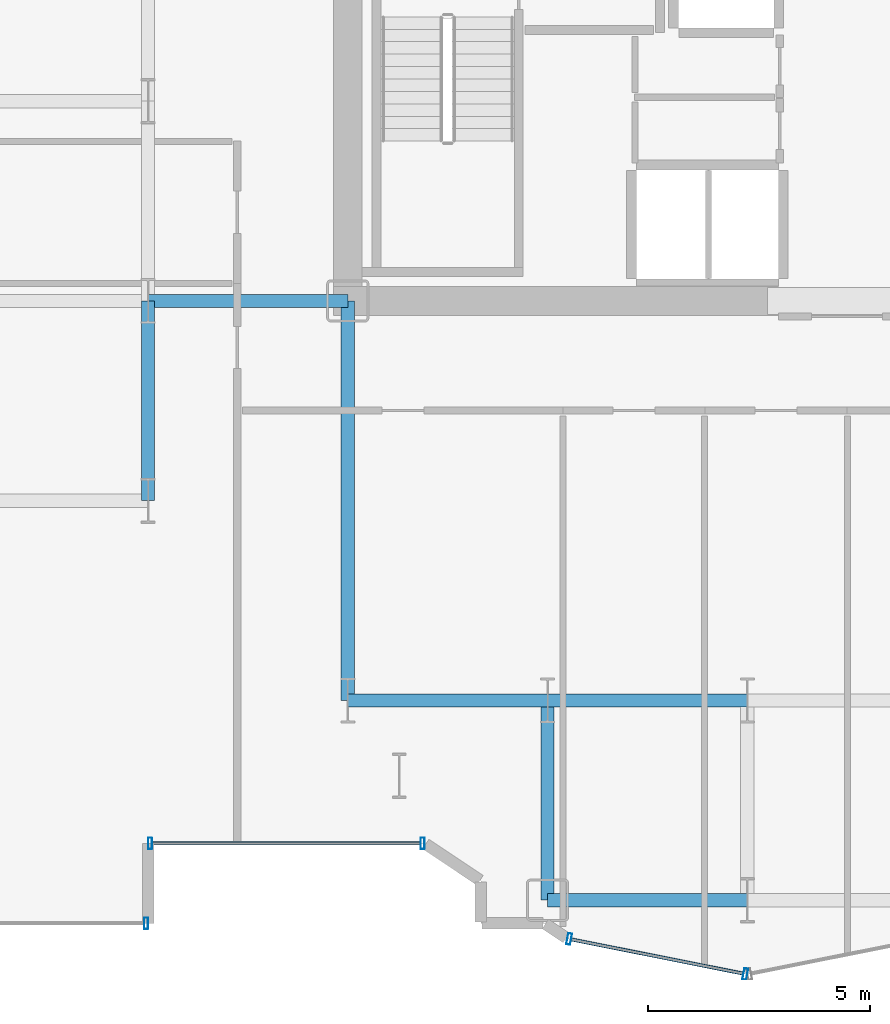
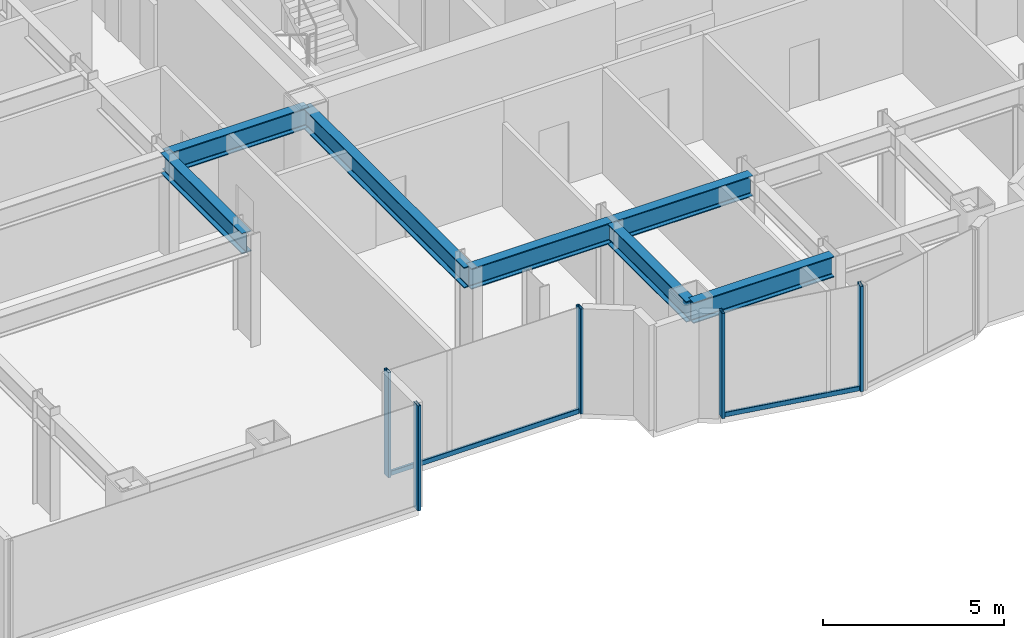
# One storey, part 4 of 25: 7 beams, 7 members, 3 elements without a shape of their own.
"""IFC4 building model written with IfcOpenShell, lengths in metres."""

from ifc_helpers import new_model, si_unit, direction, frame, origin, origin_2d, place, context, subcontext, project, spatial, hollow_rectangle, i_section, extrude, source, transform, mapped, material, layer, layer_set, material_profile, profile_set, type_object, element, aggregate, save


model = new_model("IFC4")

# Units and contexts
model_context = context("Model", 3, precision=1e-05, world=origin(), true_north=direction((0.0, 1.0)))
body_context = subcontext(model_context, "Body", "Model", "MODEL_VIEW")
ifc_project = project(units=[si_unit("LENGTHUNIT", "METRE"), si_unit("AREAUNIT", "SQUARE_METRE"), si_unit("VOLUMEUNIT", "CUBIC_METRE"), si_unit("PLANEANGLEUNIT", "RADIAN"), si_unit("MASSUNIT", "GRAM", prefix="KILO")], contexts=[model_context])

# Site, building, storey
site_placement = place(None, origin())
site = spatial("IfcSite", under=ifc_project, at=site_placement, CompositionType="ELEMENT")
building_placement = place(site_placement, origin())
building = spatial("IfcBuilding", under=site, at=building_placement, Name="Nefas-Gora Pilgrimage Tower", CompositionType="ELEMENT")
storey_placement = place(building_placement, frame((0.0, 0.0, 71.0)))
storey = spatial("IfcBuildingStorey", under=building, at=storey_placement, Name="L16", CompositionType="ELEMENT", Elevation=71.0)

# Beams
ifc_material_1 = material(Name="Steel S355", Category="steel")
ifc_material_profile_1 = material_profile(ifc_material_1, i_section(OverallWidth=0.300048828125, OverallDepth=0.699951171875, WebThickness=0.01708984375, FlangeThickness=0.031982421875, FilletRadius=0.027099609375, at=origin_2d()), Name="HEB 700")
ifc_profile_set_1 = profile_set([ifc_material_profile_1], Name="Steel S355")
beam_type = type_object("IfcBeamType", Name="BM-GIR-HEB700", PredefinedType="BEAM", material=ifc_profile_set_1)
shared_shape_1 = source(origin(), body_context, "Body", "SweptSolid", [
    extrude(i_section(OverallWidth=0.300048828125, OverallDepth=0.699951171875, WebThickness=0.01708984375, FlangeThickness=0.031982421875, FilletRadius=0.027099609375, at=origin_2d()), origin(), (0.0, 0.0, 1.0), 9.0),
])
beam_placement = place(storey_placement, frame((-11.25, -18.0, 3.199951171875), z_axis=(0.0, 1.0, 0.0), x_axis=(-1.0, 0.0, 0.0)))
element("IfcBeam", 1, at=beam_placement, inside=storey, type_object=beam_type, Name="L16 G-02 beam", PredefinedType="BEAM", context=body_context, shape_type="MappedRepresentation", body=[
    mapped(shared_shape_1, transform((0.0, 0.0, 0.0), x_axis=(1.0, 0.0, 0.0), y_axis=(0.0, 1.0, 0.0), z_axis=(0.0, 0.0, 1.0), scale=1.0)),
])
shared_shape_2 = source(origin(), body_context, "Body", "SweptSolid", [
    extrude(i_section(OverallWidth=0.300048828125, OverallDepth=0.699951171875, WebThickness=0.01708984375, FlangeThickness=0.031982421875, FilletRadius=0.027099609375, at=origin_2d()), origin(), (0.0, 0.0, 1.0), 4.5),
])
for number, where, z_axis, x_axis, name in (
    (2, (-15.75, -13.5, 3.199951171875), (0.0, 1.0, 0.0), (-1.0, 0.0, 0.0), "L16 G-02 beam"),
    (3, (-15.75, -9.0, 3.199951171875), (1.0, 0.0, 0.0), (0.0, 1.0, 0.0), "L16 G-02 beam"),
    (4, (-11.25, -18.0, 3.199951171875), (1.0, 0.0, 0.0), (0.0, 1.0, 0.0), "L16 G-02 beam"),
    (5, (-6.75, -22.5, 3.199951171875), (0.0, 1.0, 0.0), (-1.0, 0.0, 0.0), "L16 G-02 beam"),
    (6, (-6.75, -22.5, 3.199951171875), (1.0, 0.0, 0.0), (0.0, 1.0, 0.0), "L16 G-02 beam"),
    (7, (-6.75, -18.0, 3.199951171875), (1.0, 0.0, 0.0), (0.0, 1.0, 0.0), "L16 G-02 beam"),
):
    element("IfcBeam", number, at=place(storey_placement, frame(where, z_axis=z_axis, x_axis=x_axis)), inside=storey, type_object=beam_type, Name=name, PredefinedType="BEAM", context=body_context, shape_type="MappedRepresentation", body=[
        mapped(shared_shape_2, transform((0.0, 0.0, 0.0), x_axis=(1.0, 0.0, 0.0), y_axis=(0.0, 1.0, 0.0), z_axis=(0.0, 0.0, 1.0), scale=1.0)),
    ])

# Curtain wall, members
ifc_material_2 = material(Name="Dark ceramic-fritted solar-control aluminium-glass curtain wall", Category="aluminium")
ifc_layer_1 = layer(ifc_material_2, 0.219970703125)
ifc_layer_set_1 = layer_set([ifc_layer_1], Name="Dark ceramic-fritted solar-control aluminium-glass curtain wall")
curtain_wall_type_1 = type_object("IfcCurtainWallType", Name="CW-SYS-5", PredefinedType="NOTDEFINED", material=ifc_layer_set_1)
curtain_wall_1_placement = place(storey_placement, origin())
curtain_wall_1 = element("IfcCurtainWall", 8, at=curtain_wall_1_placement, inside=storey, type_object=curtain_wall_type_1, Name="L16 Unitised Curtain Wall CW5", PredefinedType="NOTDEFINED")
ifc_material_3 = material(Name="Anodised architectural aluminium", Category="aluminium")
ifc_material_profile_2 = material_profile(ifc_material_3, hollow_rectangle(XDim=0.090087890625, YDim=0.260009765625, WallThickness=0.006103515625, InnerFilletRadius=0.006103515625, OuterFilletRadius=0.011962890625, at=origin_2d()), Name="ALU MULLION 90x260")
ifc_profile_set_2 = profile_set([ifc_material_profile_2], Name="Anodised architectural aluminium")
member_type_1 = type_object("IfcMemberType", Name="CWM-MUL-5", PredefinedType="MULLION", material=ifc_profile_set_2)
shared_shape_3 = source(origin(), body_context, "Body", "SweptSolid", [
    extrude(hollow_rectangle(XDim=0.090087890625, YDim=0.260009765625, WallThickness=0.006103515625, InnerFilletRadius=0.006103515625, OuterFilletRadius=0.011962890625, at=origin_2d()), origin(), (0.0, 0.0, 1.0), 3.550048828125),
])
member_1_placement = place(storey_placement, frame((-15.705078125, -21.219970703125, 0.0), z_axis=(0.0, 0.0, 1.0), x_axis=(1.0, 0.0, 0.0)))
member_1 = element("IfcMember", 9, at=member_1_placement, type_object=member_type_1, Name="CW5 Mullion 1", PredefinedType="MULLION", context=body_context, shape_type="MappedRepresentation", body=[
    mapped(shared_shape_3, transform((0.0, 0.0, 0.0), x_axis=(1.0, 0.0, 0.0), y_axis=(0.0, 1.0, 0.0), z_axis=(0.0, 0.0, 1.0), scale=1.0)),
])
member_2_placement = place(storey_placement, frame((-9.56298828125, -21.219970703125, 0.0), z_axis=(0.0, 0.0, 1.0), x_axis=(1.0, 0.0, 0.0)))
member_2 = element("IfcMember", 10, at=member_2_placement, type_object=member_type_1, Name="CW5 Mullion 2", PredefinedType="MULLION", context=body_context, shape_type="MappedRepresentation", body=[
    mapped(shared_shape_3, transform((0.0, 0.0, 0.0), x_axis=(1.0, 0.0, 0.0), y_axis=(0.0, 1.0, 0.0), z_axis=(0.0, 0.0, 1.0), scale=1.0)),
])

curtain_wall_2_placement = place(storey_placement, origin())
curtain_wall_2 = element("IfcCurtainWall", 11, at=curtain_wall_2_placement, inside=storey, type_object=curtain_wall_type_1, Name="L16 Unitised Curtain Wall CW5", PredefinedType="NOTDEFINED")
member_3_placement = place(storey_placement, frame((-6.26318359375, -23.3740234375, 0.0), z_axis=(0.0, 0.0, 1.0), x_axis=(0.980782896852, -0.195102304554, 0.0)))
member_3 = element("IfcMember", 12, at=member_3_placement, type_object=member_type_1, Name="CW5 Mullion 1", PredefinedType="MULLION", context=body_context, shape_type="MappedRepresentation", body=[
    mapped(shared_shape_3, transform((0.0, 0.0, 0.0), x_axis=(1.0, 0.0, 0.0), y_axis=(0.0, 1.0, 0.0), z_axis=(0.0, 0.0, 1.0), scale=1.0)),
])
member_4_placement = place(storey_placement, frame((-2.294189453125, -24.16357421875, 0.0), z_axis=(0.0, 0.0, 1.0), x_axis=(0.980782896852, -0.195102304554, 0.0)))
member_4 = element("IfcMember", 13, at=member_4_placement, type_object=member_type_1, Name="CW5 Mullion 2", PredefinedType="MULLION", context=body_context, shape_type="MappedRepresentation", body=[
    mapped(shared_shape_3, transform((0.0, 0.0, 0.0), x_axis=(1.0, 0.0, 0.0), y_axis=(0.0, 1.0, 0.0), z_axis=(0.0, 0.0, 1.0), scale=1.0)),
])

# Member
ifc_material_profile_3 = material_profile(ifc_material_3, hollow_rectangle(XDim=0.080078125, YDim=0.159912109375, WallThickness=0.00439453125, InnerFilletRadius=0.00439453125, OuterFilletRadius=0.009033203125, at=origin_2d()), Name="ALU TRANSOM 80x160")
ifc_profile_set_3 = profile_set([ifc_material_profile_3], Name="Anodised architectural aluminium")
member_type_2 = type_object("IfcMemberType", Name="CWM-TRN-5", PredefinedType="USERDEFINED", material=ifc_profile_set_3)
shared_shape_4 = source(origin(), body_context, "Body", "SweptSolid", [
    extrude(hollow_rectangle(XDim=0.080078125, YDim=0.159912109375, WallThickness=0.00439453125, InnerFilletRadius=0.00439453125, OuterFilletRadius=0.009033203125, at=origin_2d()), origin(), (0.0, 0.0, 1.0), 6.052001953125),
])
member_5_placement = place(storey_placement, frame((-15.659912109375, -21.219970703125, 0.050048828125), z_axis=(1.0, 0.0, 0.0), x_axis=(0.0, 1.0, 0.0)))
member_5 = element("IfcMember", 14, at=member_5_placement, type_object=member_type_2, Name="CW5 Spandrel Transom", ObjectType="TRANSOM", PredefinedType="USERDEFINED", context=body_context, shape_type="MappedRepresentation", body=[
    mapped(shared_shape_4, transform((0.0, 0.0, 0.0), x_axis=(1.0, 0.0, 0.0), y_axis=(0.0, 1.0, 0.0), z_axis=(0.0, 0.0, 1.0), scale=1.0)),
])

aggregate(curtain_wall_1, [member_1, member_2, member_5])

# Curtain wall, member
ifc_layer_2 = layer(ifc_material_2, 0.219970703125)
ifc_layer_set_2 = layer_set([ifc_layer_2], Name="Dark ceramic-fritted solar-control aluminium-glass curtain wall")
curtain_wall_type_2 = type_object("IfcCurtainWallType", Name="CW-SYS-2", PredefinedType="NOTDEFINED", material=ifc_layer_set_2)
curtain_wall_3_placement = place(storey_placement, origin())
curtain_wall_3 = element("IfcCurtainWall", 15, at=curtain_wall_3_placement, inside=storey, type_object=curtain_wall_type_2, Name="L16 Unitised Curtain Wall CW2", PredefinedType="NOTDEFINED")
ifc_material_profile_4 = material_profile(ifc_material_3, hollow_rectangle(XDim=0.090087890625, YDim=0.260009765625, WallThickness=0.006103515625, InnerFilletRadius=0.006103515625, OuterFilletRadius=0.011962890625, at=origin_2d()), Name="ALU MULLION 90x260")
ifc_profile_set_4 = profile_set([ifc_material_profile_4], Name="Anodised architectural aluminium")
member_type_3 = type_object("IfcMemberType", Name="CWM-MUL-2", PredefinedType="MULLION", material=ifc_profile_set_4)
shared_shape_5 = source(origin(), body_context, "Body", "SweptSolid", [
    extrude(hollow_rectangle(XDim=0.090087890625, YDim=0.260009765625, WallThickness=0.006103515625, InnerFilletRadius=0.006103515625, OuterFilletRadius=0.011962890625, at=origin_2d()), origin(), (0.0, 0.0, 1.0), 3.550048828125),
])
member_6_placement = place(storey_placement, frame((-15.794921875, -23.02001953125, 0.0), z_axis=(0.0, 0.0, 1.0), x_axis=(1.0, 0.0, 0.0)))
member_6 = element("IfcMember", 16, at=member_6_placement, type_object=member_type_3, Name="CW2 Mullion 2", PredefinedType="MULLION", context=body_context, shape_type="MappedRepresentation", body=[
    mapped(shared_shape_5, transform((0.0, 0.0, 0.0), x_axis=(1.0, 0.0, 0.0), y_axis=(0.0, 1.0, 0.0), z_axis=(0.0, 0.0, 1.0), scale=1.0)),
])
aggregate(curtain_wall_3, [member_6])

# Member
shared_shape_6 = source(origin(), body_context, "Body", "SweptSolid", [
    extrude(hollow_rectangle(XDim=0.080078125, YDim=0.159912109375, WallThickness=0.00439453125, InnerFilletRadius=0.00439453125, OuterFilletRadius=0.009033203125, at=origin_2d()), origin(), (0.0, 0.0, 1.0), 3.95654296875),
])
member_7_placement = place(storey_placement, frame((-6.218994140625, -23.3828125, 0.050048828125), z_axis=(0.980781880918, -0.195107411605, 0.0), x_axis=(0.195107411605, 0.980781880918, 0.0)))
member_7 = element("IfcMember", 17, at=member_7_placement, type_object=member_type_2, Name="CW5 Spandrel Transom", ObjectType="TRANSOM", PredefinedType="USERDEFINED", context=body_context, shape_type="MappedRepresentation", body=[
    mapped(shared_shape_6, transform((0.0, 0.0, 0.0), x_axis=(1.0, 0.0, 0.0), y_axis=(0.0, 1.0, 0.0), z_axis=(0.0, 0.0, 1.0), scale=1.0)),
])

aggregate(curtain_wall_2, [member_3, member_4, member_7])

save(model, "model.ifc")
